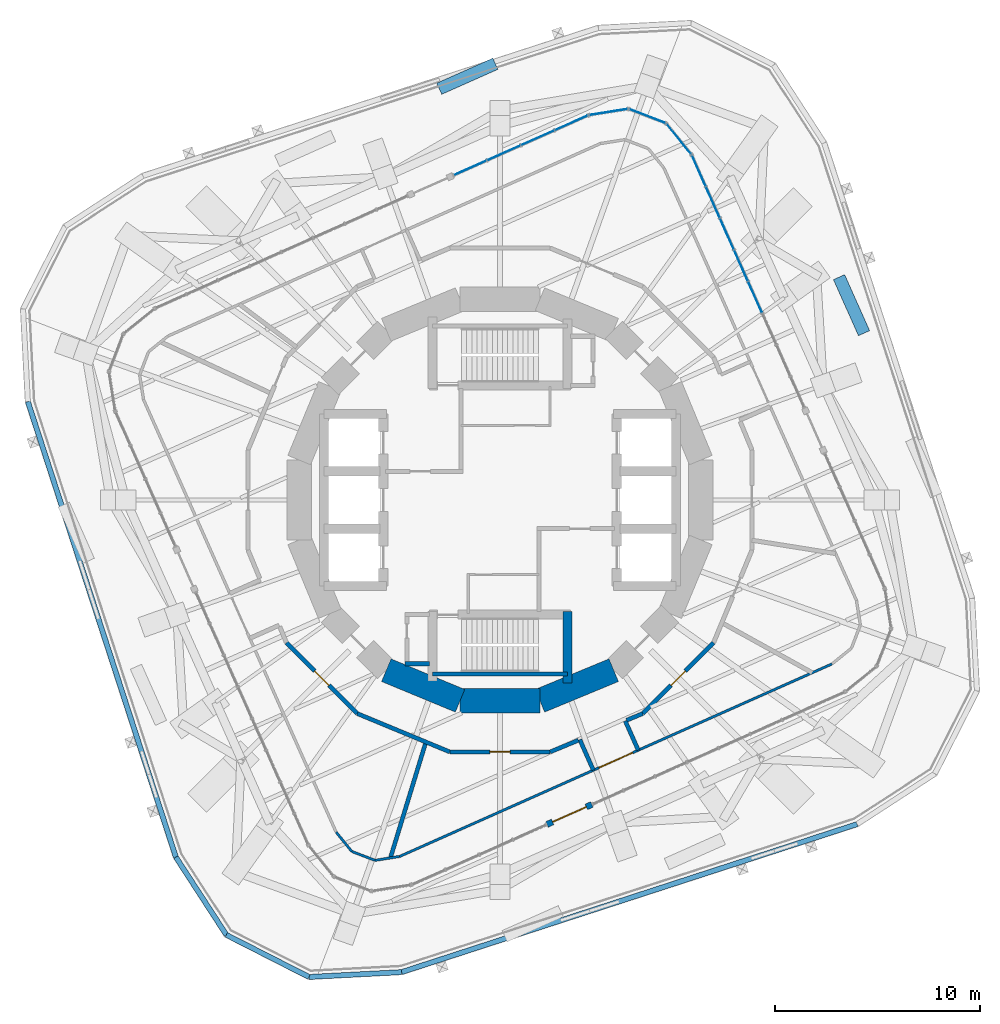
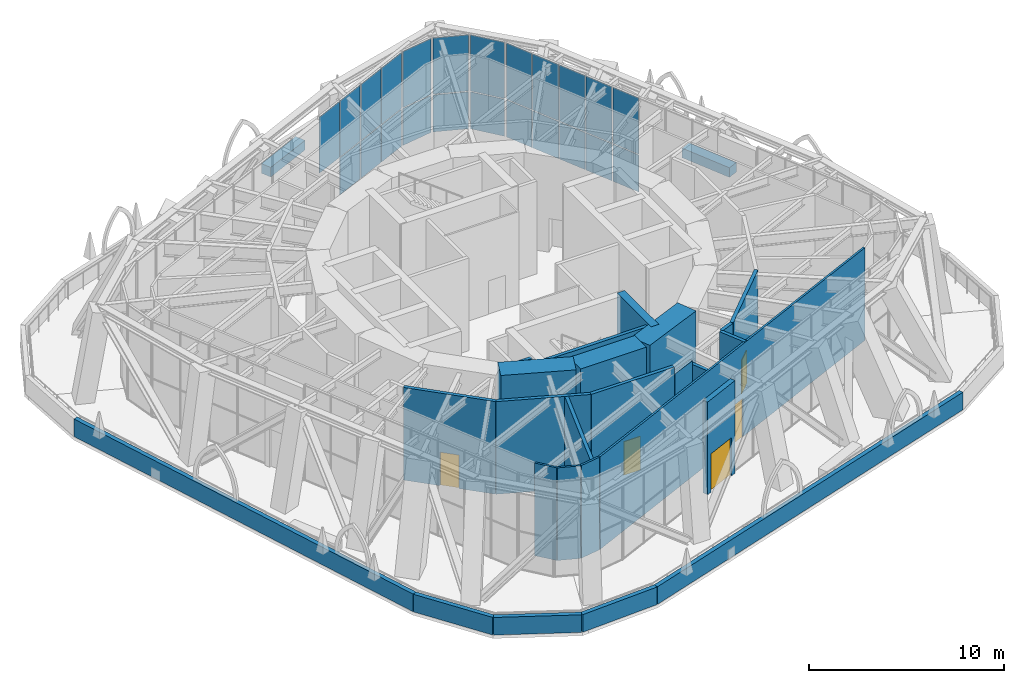
# One storey, part 12 of 18: 25 plates, 25 walls, 5 doors, 5 openings, 5 elements without a shape of their own.
"""IFC4 building model written with IfcOpenShell, lengths in metres."""

from ifc_helpers import new_model, si_unit, direction, frame, frame_2d, origin, origin_2d, place, context, subcontext, project, spatial, rectangle, extrude, material, layer, layer_set, type_object, element, fill, aggregate, save


model = new_model("IFC4")

# Units and contexts
model_context = context("Model", 3, precision=1e-05, world=origin(), true_north=direction((0.0, 1.0)))
body_context = subcontext(model_context, "Body", "Model", "MODEL_VIEW")
ifc_project = project(units=[si_unit("LENGTHUNIT", "METRE"), si_unit("AREAUNIT", "SQUARE_METRE"), si_unit("VOLUMEUNIT", "CUBIC_METRE"), si_unit("PLANEANGLEUNIT", "RADIAN"), si_unit("MASSUNIT", "GRAM", prefix="KILO")], contexts=[model_context])

# Site, building, storey
site_placement = place(None, origin())
site = spatial("IfcSite", under=ifc_project, at=site_placement, CompositionType="ELEMENT")
building_placement = place(site_placement, origin())
building = spatial("IfcBuilding", under=site, at=building_placement, Name="Nakasero Lantern House", CompositionType="ELEMENT")
storey_placement = place(building_placement, frame((0.0, 0.0, 176.449951171875)))
storey = spatial("IfcBuildingStorey", under=building, at=storey_placement, Name="L43", CompositionType="ELEMENT", Elevation=176.449951171875)

# Curtain wall, plates
ifc_material_1 = material(Name="Aluminium 6063-T6 and glass", Category="aluminium")
curtain_wall_type = type_object("IfcCurtainWallType", Name="Sky lounge glazing CW-3", PredefinedType="USERDEFINED", material=ifc_material_1)
curtain_wall_1_placement = place(storey_placement, origin())
curtain_wall_1 = element("IfcCurtainWall", 1, at=curtain_wall_1_placement, inside=storey, type_object=curtain_wall_type, Name="Curtain wall CW-3 L43", ObjectType="STICK CURTAIN WALL", PredefinedType="USERDEFINED")
ifc_material_2 = material(Name="Glass", Category="glass")
ifc_layer_1 = layer(ifc_material_2, 0.028076171875)
ifc_layer_set_1 = layer_set([ifc_layer_1], Name="Glazed panel CW-3")
plate_type_1 = type_object("IfcPlateType", Name="Glazed panel CW-3", PredefinedType="CURTAIN_PANEL", material=ifc_layer_set_1)
plate_1_placement = place(storey_placement, frame((8.7412109375, 17.633056640625, 0.06005859375), z_axis=(0.0, 0.0, 1.0), x_axis=(-0.629320390928, 0.777145961556, 0.0)))
plate_1 = element("IfcPlate", 2, at=plate_1_placement, type_object=plate_type_1, Name="CW-3 panel 1.1", PredefinedType="CURTAIN_PANEL", context=body_context, shape_type="SweptSolid", body=[
    extrude(rectangle(XDim=1.853759765625, YDim=0.028076171875, at=origin_2d()), origin(), (0.0, 0.0, 1.0), 2.31005859375),
])
plate_2_placement = place(storey_placement, frame((8.7412109375, 17.633056640625, 2.43017578125), z_axis=(0.0, 0.0, 1.0), x_axis=(-0.629320390928, 0.777145961556, 0.0)))
plate_2 = element("IfcPlate", 3, at=plate_2_placement, type_object=plate_type_1, Name="CW-3 panel 1.2", PredefinedType="CURTAIN_PANEL", context=body_context, shape_type="SweptSolid", body=[
    extrude(rectangle(XDim=1.853759765625, YDim=0.028076171875, at=origin_2d()), origin(), (0.0, 0.0, 1.0), 3.510009765625),
])
aggregate(curtain_wall_1, [plate_1, plate_2])

curtain_wall_2_placement = place(storey_placement, origin())
curtain_wall_2 = element("IfcCurtainWall", 4, at=curtain_wall_2_placement, inside=storey, type_object=curtain_wall_type, Name="Curtain wall CW-3 L43", ObjectType="STICK CURTAIN WALL", PredefinedType="USERDEFINED")
plate_3_placement = place(storey_placement, frame((0.1884765625, 16.95556640625, 0.06005859375), z_axis=(0.0, 0.0, 1.0), x_axis=(-0.913545457657, -0.406736643044, 0.0)))
plate_3 = element("IfcPlate", 5, at=plate_3_placement, type_object=plate_type_1, Name="CW-3 panel 3.1", PredefinedType="CURTAIN_PANEL", context=body_context, shape_type="SweptSolid", body=[
    extrude(rectangle(XDim=1.75244140625, YDim=0.028076171875, at=origin_2d()), origin(), (0.0, 0.0, 1.0), 2.31005859375),
])
plate_4_placement = place(storey_placement, frame((0.1884765625, 16.95556640625, 2.43017578125), z_axis=(0.0, 0.0, 1.0), x_axis=(-0.913545457657, -0.406736643044, 0.0)))
plate_4 = element("IfcPlate", 6, at=plate_4_placement, type_object=plate_type_1, Name="CW-3 panel 3.2", PredefinedType="CURTAIN_PANEL", context=body_context, shape_type="SweptSolid", body=[
    extrude(rectangle(XDim=1.75244140625, YDim=0.028076171875, at=origin_2d()), origin(), (0.0, 0.0, 1.0), 3.510009765625),
])

curtain_wall_3_placement = place(storey_placement, origin())
curtain_wall_3 = element("IfcCurtainWall", 7, at=curtain_wall_3_placement, inside=storey, type_object=curtain_wall_type, Name="Curtain wall CW-3 L43", ObjectType="STICK CURTAIN WALL", PredefinedType="USERDEFINED")
ifc_material_3 = material(Name="Aluminium 6063-T6 and insulation", Category="aluminium")
ifc_layer_2 = layer(ifc_material_3, 0.028076171875)
ifc_layer_set_2 = layer_set([ifc_layer_2], Name="Insulated panel CW-3")
plate_type_2 = type_object("IfcPlateType", Name="Insulated panel CW-3", PredefinedType="CURTAIN_PANEL", material=ifc_layer_set_2)
plate_5_placement = place(storey_placement, frame((12.46240234375, 9.9033203125, 0.06005859375), z_axis=(0.0, 0.0, 1.0), x_axis=(-0.406736643092, 0.913545457636, 0.0)))
plate_5 = element("IfcPlate", 8, at=plate_5_placement, type_object=plate_type_2, Name="CW-3 panel 4.1", PredefinedType="CURTAIN_PANEL", context=body_context, shape_type="SweptSolid", body=[
    extrude(rectangle(XDim=1.6337890625, YDim=0.028076171875, at=origin_2d()), origin(), (0.0, 0.0, 1.0), 2.31005859375),
])
plate_6_placement = place(storey_placement, frame((12.46240234375, 9.9033203125, 2.43017578125), z_axis=(0.0, 0.0, 1.0), x_axis=(-0.406736643092, 0.913545457636, 0.0)))
plate_6 = element("IfcPlate", 9, at=plate_6_placement, type_object=plate_type_2, Name="CW-3 panel 4.2", PredefinedType="CURTAIN_PANEL", context=body_context, shape_type="SweptSolid", body=[
    extrude(rectangle(XDim=1.6337890625, YDim=0.028076171875, at=origin_2d()), origin(), (0.0, 0.0, 1.0), 3.510009765625),
])
plate_7_placement = place(storey_placement, frame((11.7734375, 11.450439453125, 0.06005859375), z_axis=(0.0, 0.0, 1.0), x_axis=(-0.406736643092, 0.913545457636, 0.0)))
plate_7 = element("IfcPlate", 10, at=plate_7_placement, type_object=plate_type_2, Name="CW-3 panel 5.1", PredefinedType="CURTAIN_PANEL", context=body_context, shape_type="SweptSolid", body=[
    extrude(rectangle(XDim=1.6337890625, YDim=0.028076171875, at=origin_2d()), origin(), (0.0, 0.0, 1.0), 2.31005859375),
])
plate_8_placement = place(storey_placement, frame((11.7734375, 11.450439453125, 2.43017578125), z_axis=(0.0, 0.0, 1.0), x_axis=(-0.406736643092, 0.913545457636, 0.0)))
plate_8 = element("IfcPlate", 11, at=plate_8_placement, type_object=plate_type_2, Name="CW-3 panel 5.2", PredefinedType="CURTAIN_PANEL", context=body_context, shape_type="SweptSolid", body=[
    extrude(rectangle(XDim=1.6337890625, YDim=0.028076171875, at=origin_2d()), origin(), (0.0, 0.0, 1.0), 3.510009765625),
])
plate_9_placement = place(storey_placement, frame((11.084716796875, 12.997802734375, 0.06005859375), z_axis=(0.0, 0.0, 1.0), x_axis=(-0.406736643092, 0.913545457636, 0.0)))
plate_9 = element("IfcPlate", 12, at=plate_9_placement, type_object=plate_type_2, Name="CW-3 panel 6.1", PredefinedType="CURTAIN_PANEL", context=body_context, shape_type="SweptSolid", body=[
    extrude(rectangle(XDim=1.6337890625, YDim=0.028076171875, at=origin_2d()), origin(), (0.0, 0.0, 1.0), 2.31005859375),
])
plate_10_placement = place(storey_placement, frame((11.084716796875, 12.997802734375, 2.43017578125), z_axis=(0.0, 0.0, 1.0), x_axis=(-0.406736643092, 0.913545457636, 0.0)))
plate_10 = element("IfcPlate", 13, at=plate_10_placement, type_object=plate_type_2, Name="CW-3 panel 6.2", PredefinedType="CURTAIN_PANEL", context=body_context, shape_type="SweptSolid", body=[
    extrude(rectangle(XDim=1.6337890625, YDim=0.028076171875, at=origin_2d()), origin(), (0.0, 0.0, 1.0), 3.510009765625),
])
plate_11_placement = place(storey_placement, frame((10.395751953125, 14.545166015625, 0.06005859375), z_axis=(0.0, 0.0, 1.0), x_axis=(-0.406736643092, 0.913545457636, 0.0)))
plate_11 = element("IfcPlate", 14, at=plate_11_placement, type_object=plate_type_2, Name="CW-3 panel 7.1", PredefinedType="CURTAIN_PANEL", context=body_context, shape_type="SweptSolid", body=[
    extrude(rectangle(XDim=1.6337890625, YDim=0.028076171875, at=origin_2d()), origin(), (0.0, 0.0, 1.0), 2.31005859375),
])
plate_12_placement = place(storey_placement, frame((10.395751953125, 14.545166015625, 2.43017578125), z_axis=(0.0, 0.0, 1.0), x_axis=(-0.406736643092, 0.913545457636, 0.0)))
plate_12 = element("IfcPlate", 15, at=plate_12_placement, type_object=plate_type_2, Name="CW-3 panel 7.2", PredefinedType="CURTAIN_PANEL", context=body_context, shape_type="SweptSolid", body=[
    extrude(rectangle(XDim=1.6337890625, YDim=0.028076171875, at=origin_2d()), origin(), (0.0, 0.0, 1.0), 3.510009765625),
])
plate_13_placement = place(storey_placement, frame((9.712890625, 16.078857421875, 0.06005859375), z_axis=(0.0, 0.0, 1.0), x_axis=(-0.406736643092, 0.913545457636, 0.0)))
plate_13 = element("IfcPlate", 16, at=plate_13_placement, type_object=plate_type_2, Name="CW-3 panel 8.1", PredefinedType="CURTAIN_PANEL", context=body_context, shape_type="SweptSolid", body=[
    extrude(rectangle(XDim=1.603759765625, YDim=0.028076171875, at=origin_2d()), origin(), (0.0, 0.0, 1.0), 2.31005859375),
])
plate_14_placement = place(storey_placement, frame((9.712890625, 16.078857421875, 2.43017578125), z_axis=(0.0, 0.0, 1.0), x_axis=(-0.406736643092, 0.913545457636, 0.0)))
plate_14 = element("IfcPlate", 17, at=plate_14_placement, type_object=plate_type_2, Name="CW-3 panel 8.2", PredefinedType="CURTAIN_PANEL", context=body_context, shape_type="SweptSolid", body=[
    extrude(rectangle(XDim=1.603759765625, YDim=0.028076171875, at=origin_2d()), origin(), (0.0, 0.0, 1.0), 3.510009765625),
])
aggregate(curtain_wall_3, [plate_5, plate_6, plate_7, plate_8, plate_9, plate_10, plate_11, plate_12, plate_13, plate_14])

curtain_wall_4_placement = place(storey_placement, origin())
curtain_wall_4 = element("IfcCurtainWall", 18, at=curtain_wall_4_placement, inside=storey, type_object=curtain_wall_type, Name="Curtain wall CW-3 L43", ObjectType="STICK CURTAIN WALL", PredefinedType="USERDEFINED")
plate_15_placement = place(storey_placement, frame((7.198974609375, 18.753662109375, 0.06005859375), z_axis=(0.0, 0.0, 1.0), x_axis=(-0.93358042661, 0.358367949252, 0.0)))
plate_15 = element("IfcPlate", 19, at=plate_15_placement, type_object=plate_type_2, Name="CW-3 panel 1.1", PredefinedType="CURTAIN_PANEL", context=body_context, shape_type="SweptSolid", body=[
    extrude(rectangle(XDim=1.853759765625, YDim=0.028076171875, at=origin_2d()), origin(), (0.0, 0.0, 1.0), 2.31005859375),
])
plate_16_placement = place(storey_placement, frame((7.198974609375, 18.753662109375, 2.43017578125), z_axis=(0.0, 0.0, 1.0), x_axis=(-0.93358042661, 0.358367949252, 0.0)))
plate_16 = element("IfcPlate", 20, at=plate_16_placement, type_object=plate_type_2, Name="CW-3 panel 1.2", PredefinedType="CURTAIN_PANEL", context=body_context, shape_type="SweptSolid", body=[
    extrude(rectangle(XDim=1.853759765625, YDim=0.028076171875, at=origin_2d()), origin(), (0.0, 0.0, 1.0), 3.510009765625),
])
aggregate(curtain_wall_4, [plate_15, plate_16])

curtain_wall_5_placement = place(storey_placement, origin())
curtain_wall_5 = element("IfcCurtainWall", 21, at=curtain_wall_5_placement, inside=storey, type_object=curtain_wall_type, Name="Curtain wall CW-3 L43", ObjectType="STICK CURTAIN WALL", PredefinedType="USERDEFINED")
plate_17_placement = place(storey_placement, frame((5.302734375, 18.952880859375, 0.06005859375), z_axis=(0.0, 0.0, 1.0), x_axis=(-0.987688340592, -0.156434465057, 0.0)))
plate_17 = element("IfcPlate", 22, at=plate_17_placement, type_object=plate_type_2, Name="CW-3 panel 1.1", PredefinedType="CURTAIN_PANEL", context=body_context, shape_type="SweptSolid", body=[
    extrude(rectangle(XDim=1.853759765625, YDim=0.028076171875, at=origin_2d()), origin(), (0.0, 0.0, 1.0), 2.31005859375),
])
plate_18_placement = place(storey_placement, frame((5.302734375, 18.952880859375, 2.43017578125), z_axis=(0.0, 0.0, 1.0), x_axis=(-0.987688340592, -0.156434465057, 0.0)))
plate_18 = element("IfcPlate", 23, at=plate_18_placement, type_object=plate_type_2, Name="CW-3 panel 1.2", PredefinedType="CURTAIN_PANEL", context=body_context, shape_type="SweptSolid", body=[
    extrude(rectangle(XDim=1.853759765625, YDim=0.028076171875, at=origin_2d()), origin(), (0.0, 0.0, 1.0), 3.510009765625),
])
aggregate(curtain_wall_5, [plate_17, plate_18])

# Plate
plate_19_placement = place(storey_placement, frame((3.486572265625, 18.423828125, 0.06005859375), z_axis=(0.0, 0.0, 1.0), x_axis=(-0.913545457657, -0.406736643044, 0.0)))
plate_19 = element("IfcPlate", 24, at=plate_19_placement, type_object=plate_type_2, Name="CW-3 panel 1.1", PredefinedType="CURTAIN_PANEL", context=body_context, shape_type="SweptSolid", body=[
    extrude(rectangle(XDim=1.722412109375, YDim=0.028076171875, at=origin_2d()), origin(), (0.0, 0.0, 1.0), 2.31005859375),
])

plate_20_placement = place(storey_placement, frame((3.486572265625, 18.423828125, 2.43017578125), z_axis=(0.0, 0.0, 1.0), x_axis=(-0.913545457657, -0.406736643044, 0.0)))
plate_20 = element("IfcPlate", 25, at=plate_20_placement, type_object=plate_type_2, Name="CW-3 panel 1.2", PredefinedType="CURTAIN_PANEL", context=body_context, shape_type="SweptSolid", body=[
    extrude(rectangle(XDim=1.722412109375, YDim=0.028076171875, at=origin_2d()), origin(), (0.0, 0.0, 1.0), 3.510009765625),
])

plate_21_placement = place(storey_placement, frame((1.844482421875, 17.69287109375, 0.06005859375), z_axis=(0.0, 0.0, 1.0), x_axis=(-0.913545457657, -0.406736643044, 0.0)))
plate_21 = element("IfcPlate", 26, at=plate_21_placement, type_object=plate_type_2, Name="CW-3 panel 2.1", PredefinedType="CURTAIN_PANEL", context=body_context, shape_type="SweptSolid", body=[
    extrude(rectangle(XDim=1.75244140625, YDim=0.028076171875, at=origin_2d()), origin(), (0.0, 0.0, 1.0), 2.31005859375),
])

plate_22_placement = place(storey_placement, frame((1.844482421875, 17.69287109375, 2.43017578125), z_axis=(0.0, 0.0, 1.0), x_axis=(-0.913545457657, -0.406736643044, 0.0)))
plate_22 = element("IfcPlate", 27, at=plate_22_placement, type_object=plate_type_2, Name="CW-3 panel 2.2", PredefinedType="CURTAIN_PANEL", context=body_context, shape_type="SweptSolid", body=[
    extrude(rectangle(XDim=1.75244140625, YDim=0.028076171875, at=origin_2d()), origin(), (0.0, 0.0, 1.0), 3.510009765625),
])

plate_23_placement = place(storey_placement, frame((-1.45361328125, 16.224365234375, 2.43017578125), z_axis=(0.0, 0.0, 1.0), x_axis=(-0.913545457657, -0.406736643044, 0.0)))
plate_23 = element("IfcPlate", 28, at=plate_23_placement, type_object=plate_type_2, Name="CW-3 panel 4.2", PredefinedType="CURTAIN_PANEL", context=body_context, shape_type="SweptSolid", body=[
    extrude(rectangle(XDim=1.722412109375, YDim=0.028076171875, at=origin_2d()), origin(), (0.0, 0.0, 1.0), 3.510009765625),
])

aggregate(curtain_wall_2, [plate_19, plate_20, plate_21, plate_22, plate_3, plate_4, plate_23])

# Plates
ifc_material_4 = material(Name="Aluminium 6063-T6", Category="aluminium")
ifc_layer_3 = layer(ifc_material_4, 0.60009765625)
ifc_layer_set_3 = layer_set([ifc_layer_3], Name="Sky garden planter 1200x3000")
plate_type_3 = type_object("IfcPlateType", Name="Sky garden planter 1200x3000", PredefinedType="USERDEFINED", material=ifc_layer_set_3)
for number, where, z_axis, x_axis, name in (
    (29, (17.17333984375, 9.517822265625, 0.0), (0.0, 0.0, 1.0), (0.913545457643, 0.406736643076, 0.0), "Sky garden PLANTER L43 01"),
    (30, (-1.597412109375, 20.699951171875, 0.0), (0.0, 0.0, 1.0), (-0.406736643076, 0.913545457643, 0.0), "Sky garden PLANTER L43 10"),
):
    element("IfcPlate", number, at=place(storey_placement, frame(where, z_axis=z_axis, x_axis=x_axis)), inside=storey, type_object=plate_type_3, Name=name, ObjectType="PLANTER", PredefinedType="USERDEFINED", context=body_context, shape_type="SweptSolid", body=[
        extrude(rectangle(XDim=0.60009765625, YDim=3.0, at=origin_2d()), origin(), (0.0, 0.0, 1.0), 0.60009765625),
    ])

# Walls
ifc_material_5 = material(Name="Concrete C50/60", Category="concrete")
ifc_layer_4 = layer(ifc_material_5, 0.449951171875)
ifc_layer_set_4 = layer_set([ifc_layer_4], Name="Core inner wall 450")
wall_type_1 = type_object("IfcWallType", Name="Core inner wall 450", PredefinedType="SHEAR", material=ifc_layer_set_4)
wall_1_placement = place(storey_placement, frame((3.300048828125, -5.449951171875, 0.0), z_axis=(0.0, 0.0, 1.0), x_axis=(0.0, -1.0, 0.0)))
element("IfcWall", 31, at=wall_1_placement, inside=storey, type_object=wall_type_1, Name="Core inner wall L43 SSE", PredefinedType="SHEAR", context=body_context, shape_type="SweptSolid", body=[
    extrude(rectangle(XDim=3.5, YDim=0.449951171875, at=frame_2d((1.75, 0.0))), origin(), (0.0, 0.0, 1.0), 6.0),
])
ifc_material_6 = material(Name="Concrete C50/60", Category="concrete")
ifc_layer_5 = layer(ifc_material_6, 1.199951171875)
ifc_layer_set_5 = layer_set([ifc_layer_5], Name="Core wall 1200")
wall_type_2 = type_object("IfcWallType", Name="Core wall 1200", PredefinedType="SHEAR", material=ifc_layer_set_5)
for number, where, z_axis, x_axis, name in (
    (32, (-5.5556640625, -8.314697265625, 0.0), (0.0, 0.0, 1.0), (0.923876507187, -0.382690736062, 0.0), "Core wall L43 facet 11"),
    (33, (-1.950927734375, -9.807861328125, 0.0), (0.0, 0.0, 1.0), (1.0, 0.0, 0.0), "Core wall L43 facet 12"),
    (34, (1.950927734375, -9.807861328125, 0.0), (0.0, 0.0, 1.0), (0.923876507187, 0.382690736062, 0.0), "Core wall L43 facet 13"),
):
    element("IfcWall", number, at=place(storey_placement, frame(where, z_axis=z_axis, x_axis=x_axis)), inside=storey, type_object=wall_type_2, Name=name, PredefinedType="SHEAR", context=body_context, shape_type="SweptSolid", body=[
        extrude(rectangle(XDim=3.90185546875, YDim=1.199951171875, at=frame_2d((1.950927734375, 0.0))), origin(), (0.0, 0.0, 1.0), 6.0),
    ])

# Wall, opening, door
ifc_material_7 = material(Name="Blockwork", Category="masonry")
ifc_layer_6 = layer(ifc_material_7, 0.199951171875)
ifc_layer_set_6 = layer_set([ifc_layer_6], Name="Corridor wall 200")
wall_type_3 = type_object("IfcWallType", Name="Corridor wall 200", PredefinedType="PARTITIONING", material=ifc_layer_set_6)
wall_2_placement = place(storey_placement, frame((10.43408203125, -6.971923828125, 0.0), z_axis=(0.0, 0.0, 1.0), x_axis=(-0.707106781187, -0.707106781187, 0.0)))
wall_2 = element("IfcWall", 35, at=wall_2_placement, inside=storey, type_object=wall_type_3, Name="Corridor wall L43 TC02", PredefinedType="PARTITIONING", context=body_context, shape_type="SweptSolid", body=[
    extrude(rectangle(XDim=4.896240234375, YDim=0.199951171875, at=frame_2d((2.4482421875, 0.0))), origin(), (0.0, 0.0, 1.0), 5.800048828125),
])
opening_1_placement = place(wall_2_placement, frame((1.9482421875, 0.0, 0.0)))
opening_1 = element("IfcOpeningElement", 36, at=opening_1_placement, cuts=wall_2, Name="Opening D13", PredefinedType="OPENING", context=body_context, shape_type="SweptSolid", body=[
    extrude(rectangle(XDim=1.0, YDim=2.10009765625, at=frame_2d((0.5, 1.050048828125))), frame((0.0, 0.119873046875, 0.0), z_axis=(0.0, -1.0, 0.0), x_axis=(1.0, 0.0, 0.0)), (0.0, 0.0, 1.0), 0.239990234375),
])
ifc_material_8 = material(Name="Steel S355", Category="steel")
door_type_1 = type_object("IfcDoorType", Name="Plant room door FD60 1000", OperationType="SINGLE_SWING_LEFT", PredefinedType="DOOR", material=ifc_material_8)
door_1_placement = place(opening_1_placement, origin())
door_1 = element("IfcDoor", 37, at=door_1_placement, inside=storey, type_object=door_type_1, Name="Door L43 TDR30", OperationType="SINGLE_SWING_RIGHT", OverallHeight=2.10009765625, OverallWidth=1.0, PredefinedType="DOOR", context=body_context, shape_type="SweptSolid", body=[
    extrude(rectangle(XDim=1.0, YDim=2.10009765625, at=frame_2d((0.5, 1.050048828125))), frame((0.0, 0.02490234375, 0.0), z_axis=(0.0, -1.0, 0.0), x_axis=(1.0, 0.0, 0.0)), (0.0, 0.0, 1.0), 0.050048828125),
])
fill(opening_1, door_1)

# Walls
wall_3_placement = place(storey_placement, frame((6.971923828125, -10.43408203125, 0.0), z_axis=(0.0, 0.0, 1.0), x_axis=(-0.923915396123, -0.382596838469, 0.0)))
element("IfcWall", 38, at=wall_3_placement, inside=storey, type_object=wall_type_3, Name="Corridor wall L43 TC03", PredefinedType="PARTITIONING", context=body_context, shape_type="SweptSolid", body=[
    extrude(rectangle(XDim=0.8505859375, YDim=0.199951171875, at=frame_2d((0.42529296875, 0.0))), origin(), (0.0, 0.0, 1.0), 5.800048828125),
])
wall_4_placement = place(storey_placement, frame((3.829345703125, -11.73583984375, 0.0), z_axis=(0.0, 0.0, 1.0), x_axis=(-0.923891433925, -0.382654698548, 0.0)))
element("IfcWall", 39, at=wall_4_placement, inside=storey, type_object=wall_type_3, Name="Corridor wall L43 TC04", PredefinedType="PARTITIONING", context=body_context, shape_type="SweptSolid", body=[
    extrude(rectangle(XDim=1.494873046875, YDim=0.199951171875, at=frame_2d((0.74755859375, 0.0))), origin(), (0.0, 0.0, 1.0), 5.3466796875),
])

# Wall, opening, door
wall_5_placement = place(storey_placement, frame((2.4482421875, -12.307861328125, 0.0), z_axis=(0.0, 0.0, 1.0), x_axis=(-1.0, 0.0, 0.0)))
wall_5 = element("IfcWall", 40, at=wall_5_placement, inside=storey, type_object=wall_type_3, Name="Corridor wall L43 TC05", PredefinedType="PARTITIONING", context=body_context, shape_type="SweptSolid", body=[
    extrude(rectangle(XDim=4.896484375, YDim=0.199951171875, at=frame_2d((2.4482421875, 0.0))), origin(), (0.0, 0.0, 1.0), 5.800048828125),
])
opening_2_placement = place(wall_5_placement, frame((1.9482421875, 0.0, 0.0)))
opening_2 = element("IfcOpeningElement", 41, at=opening_2_placement, cuts=wall_5, Name="Opening D13", PredefinedType="OPENING", context=body_context, shape_type="SweptSolid", body=[
    extrude(rectangle(XDim=1.0, YDim=2.10009765625, at=frame_2d((0.5, 1.050048828125))), frame((0.0, 0.119873046875, 0.0), z_axis=(0.0, -1.0, 0.0), x_axis=(1.0, 0.0, 0.0)), (0.0, 0.0, 1.0), 0.239990234375),
])
door_2_placement = place(opening_2_placement, origin())
door_2 = element("IfcDoor", 42, at=door_2_placement, inside=storey, type_object=door_type_1, Name="Door L43 TDR21", OperationType="SINGLE_SWING_LEFT", OverallHeight=2.10009765625, OverallWidth=1.0, PredefinedType="DOOR", context=body_context, shape_type="SweptSolid", body=[
    extrude(rectangle(XDim=1.0, YDim=2.10009765625, at=frame_2d((0.5, 1.050048828125))), frame((0.0, 0.02490234375, 0.0), z_axis=(0.0, -1.0, 0.0), x_axis=(1.0, 0.0, 0.0)), (0.0, 0.0, 1.0), 0.050048828125),
])
fill(opening_2, door_2)

# Wall
wall_6_placement = place(storey_placement, frame((-2.4482421875, -12.307861328125, 0.0), z_axis=(0.0, 0.0, 1.0), x_axis=(-0.923878881965, 0.382685002919, 0.0)))
element("IfcWall", 43, at=wall_6_placement, inside=storey, type_object=wall_type_3, Name="Corridor wall L43 TC06", PredefinedType="PARTITIONING", context=body_context, shape_type="SweptSolid", body=[
    extrude(rectangle(XDim=4.896484375, YDim=0.199951171875, at=frame_2d((2.4482421875, 0.0))), origin(), (0.0, 0.0, 1.0), 5.800048828125),
])

# Wall, opening, door
wall_7_placement = place(storey_placement, frame((-6.971923828125, -10.43408203125, 0.0), z_axis=(0.0, 0.0, 1.0), x_axis=(-0.707106781187, 0.707106781187, 0.0)))
wall_7 = element("IfcWall", 44, at=wall_7_placement, inside=storey, type_object=wall_type_3, Name="Corridor wall L43 TC07", PredefinedType="PARTITIONING", context=body_context, shape_type="SweptSolid", body=[
    extrude(rectangle(XDim=4.896240234375, YDim=0.199951171875, at=frame_2d((2.4482421875, 0.0))), origin(), (0.0, 0.0, 1.0), 5.800048828125),
])
opening_3_placement = place(wall_7_placement, frame((1.9482421875, 0.0, 0.0)))
opening_3 = element("IfcOpeningElement", 45, at=opening_3_placement, cuts=wall_7, Name="Opening D13", PredefinedType="OPENING", context=body_context, shape_type="SweptSolid", body=[
    extrude(rectangle(XDim=1.0, YDim=2.10009765625, at=frame_2d((0.5, 1.050048828125))), frame((0.0, 0.119873046875, 0.0), z_axis=(0.0, -1.0, 0.0), x_axis=(1.0, 0.0, 0.0)), (0.0, 0.0, 1.0), 0.239990234375),
])
door_3_placement = place(opening_3_placement, origin())
door_3 = element("IfcDoor", 46, at=door_3_placement, inside=storey, type_object=door_type_1, Name="Door L43 TDR20", OperationType="SINGLE_SWING_RIGHT", OverallHeight=2.10009765625, OverallWidth=1.0, PredefinedType="DOOR", context=body_context, shape_type="SweptSolid", body=[
    extrude(rectangle(XDim=1.0, YDim=2.10009765625, at=frame_2d((0.5, 1.050048828125))), frame((0.0, 0.02490234375, 0.0), z_axis=(0.0, -1.0, 0.0), x_axis=(1.0, 0.0, 0.0)), (0.0, 0.0, 1.0), 0.050048828125),
])
fill(opening_3, door_3)

ifc_material_9 = material(Name="Concrete C40/50", Category="concrete")
ifc_layer_7 = layer(ifc_material_9, 0.300048828125)
ifc_layer_set_7 = layer_set([ifc_layer_7], Name="Entrance portal wall 300")
wall_type_4 = type_object("IfcWallType", Name="Entrance portal wall 300", PredefinedType="SOLIDWALL", material=ifc_layer_set_7)
wall_8_placement = place(storey_placement, frame((2.295166015625, -15.849853515625, 0.0), z_axis=(0.0, 0.0, 1.0), x_axis=(0.913513461389, 0.406808500233, 0.0)))
wall_8 = element("IfcWall", 47, at=wall_8_placement, inside=storey, type_object=wall_type_4, Name="Sky lounge door wall L43 3", PredefinedType="SOLIDWALL", context=body_context, shape_type="SweptSolid", body=[
    extrude(rectangle(XDim=2.39990234375, YDim=0.300048828125, at=frame_2d((1.199951171875, 0.0))), origin(), (0.0, 0.0, 1.0), 5.800048828125),
])
opening_4_placement = place(wall_8_placement, frame((0.300048828125, 0.0, 0.0)))
opening_4 = element("IfcOpeningElement", 48, at=opening_4_placement, cuts=wall_8, Name="Opening D10", PredefinedType="OPENING", context=body_context, shape_type="SweptSolid", body=[
    extrude(rectangle(XDim=1.800048828125, YDim=2.39990234375, at=frame_2d((0.89990234375, 1.199951171875))), frame((0.0, 0.169921875, 0.0), z_axis=(0.0, -1.0, 0.0), x_axis=(1.0, 0.0, 0.0)), (0.0, 0.0, 1.0), 0.340087890625),
])
ifc_material_10 = material(Name="Aluminium 6063-T6 and glass", Category="aluminium")
door_type_2 = type_object("IfcDoorType", Name="Sky garden doors 1800x2400", OperationType="DOUBLE_DOOR_SINGLE_SWING", PredefinedType="DOOR", material=ifc_material_10)
door_4_placement = place(opening_4_placement, origin())
door_4 = element("IfcDoor", 49, at=door_4_placement, inside=storey, type_object=door_type_2, Name="Sky garden door L43 3", OperationType="DOUBLE_DOOR_SINGLE_SWING", OverallHeight=2.39990234375, OverallWidth=1.800048828125, PredefinedType="DOOR", context=body_context, shape_type="SweptSolid", body=[
    extrude(rectangle(XDim=1.800048828125, YDim=2.39990234375, at=frame_2d((0.89990234375, 1.199951171875))), frame((0.0, 0.02490234375, 0.0), z_axis=(0.0, -1.0, 0.0), x_axis=(1.0, 0.0, 0.0)), (0.0, 0.0, 1.0), 0.050048828125),
])
fill(opening_4, door_4)

# Walls
ifc_material_11 = material(Name="Blockwork", Category="masonry")
ifc_layer_8 = layer(ifc_material_11, 0.199951171875)
ifc_layer_set_8 = layer_set([ifc_layer_8], Name="Fire lobby wall 200")
wall_type_5 = type_object("IfcWallType", Name="Fire lobby wall 200", PredefinedType="PARTITIONING", material=ifc_layer_set_8)
wall_9_placement = place(storey_placement, frame((-3.449951171875, -8.0, 0.0), z_axis=(0.0, 0.0, 1.0), x_axis=(-1.0, 0.0, 0.0)))
element("IfcWall", 50, at=wall_9_placement, inside=storey, type_object=wall_type_5, Name="Fire lobby wall L43 W-RS2S", PredefinedType="PARTITIONING", context=body_context, shape_type="SweptSolid", body=[
    extrude(rectangle(XDim=1.199951171875, YDim=0.199951171875, at=frame_2d((0.60009765625, 0.0))), origin(), (0.0, 0.0, 1.0), 5.800048828125),
])
wall_10_placement = place(storey_placement, frame((-3.300048828125, -8.5, 0.0), z_axis=(0.0, 0.0, 1.0), x_axis=(1.0, 0.0, 0.0)))
element("IfcWall", 51, at=wall_10_placement, inside=storey, type_object=wall_type_5, Name="Fire lobby wall L43 W-STS", PredefinedType="PARTITIONING", context=body_context, shape_type="SweptSolid", body=[
    extrude(rectangle(XDim=6.60009765625, YDim=0.199951171875, at=frame_2d((3.300048828125, 0.0))), origin(), (0.0, 0.0, 1.0), 5.800048828125),
])
wall_11_placement = place(storey_placement, frame((-3.619873046875, -11.822509765625, 0.0), z_axis=(0.0, 0.0, 1.0), x_axis=(-0.292741199408, -0.956191712038, 0.0)))
element("IfcWall", 52, at=wall_11_placement, inside=storey, type_object=wall_type_5, Name="Fire lobby wall L43 TD20", PredefinedType="PARTITIONING", context=body_context, shape_type="SweptSolid", body=[
    extrude(rectangle(XDim=5.92138671875, YDim=0.199951171875, at=frame_2d((2.960693359375, 0.0))), origin(), (0.0, 0.0, 1.0), 5.800048828125),
])
wall_12_placement = place(storey_placement, frame((6.11669921875, -10.788330078125, 0.0), z_axis=(0.0, 0.0, 1.0), x_axis=(0.406758962246, -0.913535520181, 0.0)))
element("IfcWall", 53, at=wall_12_placement, inside=storey, type_object=wall_type_5, Name="Fire lobby wall L43 TP3L", PredefinedType="PARTITIONING", context=body_context, shape_type="SweptSolid", body=[
    extrude(rectangle(XDim=1.569580078125, YDim=0.199951171875, at=frame_2d((0.78466796875, 0.0))), origin(), (0.0, 0.0, 1.0), 5.800048828125),
])
wall_13_placement = place(storey_placement, frame((3.898681640625, -11.70703125, 0.0), z_axis=(0.0, 0.0, 1.0), x_axis=(0.406804441844, -0.913515268671, 0.0)))
element("IfcWall", 54, at=wall_13_placement, inside=storey, type_object=wall_type_5, Name="Fire lobby wall L43 TP3R", PredefinedType="PARTITIONING", context=body_context, shape_type="SweptSolid", body=[
    extrude(rectangle(XDim=1.63232421875, YDim=0.199951171875, at=frame_2d((0.816162109375, 0.0))), origin(), (0.0, 0.0, 1.0), 5.116455078125),
])
ifc_material_12 = material(Name="Aluminium 6063-T6 and glass", Category="aluminium")
ifc_layer_9 = layer(ifc_material_12, 0.1201171875)
ifc_layer_set_9 = layer_set([ifc_layer_9], Name="Glazed screen 120")
wall_type_6 = type_object("IfcWallType", Name="Glazed screen 120", PredefinedType="PARTITIONING", material=ifc_layer_set_9)
wall_14_placement = place(storey_placement, frame((-8.007080078125, -16.22216796875, 0.0), z_axis=(0.0, 0.0, 1.0), x_axis=(0.629284812999, -0.777174770646, 0.0)))
element("IfcWall", 55, at=wall_14_placement, inside=storey, type_object=wall_type_6, Name="Glazed screen L43 WG2C1", PredefinedType="PARTITIONING", context=body_context, shape_type="SweptSolid", body=[
    extrude(rectangle(XDim=1.216552734375, YDim=0.1201171875, at=frame_2d((0.6083984375, 0.0))), origin(), (0.0, 0.0, 1.0), 5.800048828125),
])
wall_15_placement = place(storey_placement, frame((-7.241455078125, -17.167724609375, 0.0), z_axis=(0.0, 0.0, 1.0), x_axis=(0.933604039007, -0.358306430795, 0.0)))
element("IfcWall", 56, at=wall_15_placement, inside=storey, type_object=wall_type_6, Name="Glazed screen L43 WG2C2", PredefinedType="PARTITIONING", context=body_context, shape_type="SweptSolid", body=[
    extrude(rectangle(XDim=1.21630859375, YDim=0.1201171875, at=frame_2d((0.608154296875, 0.0))), origin(), (0.0, 0.0, 1.0), 5.800048828125),
])
wall_16_placement = place(storey_placement, frame((-6.10595703125, -17.603515625, 0.0), z_axis=(0.0, 0.0, 1.0), x_axis=(0.987705952118, 0.156323229724, 0.0)))
element("IfcWall", 57, at=wall_16_placement, inside=storey, type_object=wall_type_6, Name="Glazed screen L43 WG2C3", PredefinedType="PARTITIONING", context=body_context, shape_type="SweptSolid", body=[
    extrude(rectangle(XDim=1.216552734375, YDim=0.1201171875, at=frame_2d((0.6083984375, 0.0))), origin(), (0.0, 0.0, 1.0), 5.800048828125),
])

# Wall, opening, door
wall_17_placement = place(storey_placement, frame((-4.904296875, -17.413330078125, 0.0), z_axis=(0.0, 0.0, 1.0), x_axis=(0.91354317875, 0.406741761514, 0.0)))
wall_17 = element("IfcWall", 58, at=wall_17_placement, inside=storey, type_object=wall_type_6, Name="Glazed screen L43 WG3S", PredefinedType="PARTITIONING", context=body_context, shape_type="SweptSolid", body=[
    extrude(rectangle(XDim=23.125732421875, YDim=0.1201171875, at=frame_2d((11.56298828125, 0.0))), origin(), (0.0, 0.0, 1.0), 5.800048828125),
])
opening_5_placement = place(wall_17_placement, frame((10.6630859375, 0.0, 0.0)))
opening_5 = element("IfcOpeningElement", 59, at=opening_5_placement, cuts=wall_17, Name="Opening D18", PredefinedType="OPENING", context=body_context, shape_type="SweptSolid", body=[
    extrude(rectangle(XDim=1.800048828125, YDim=2.39990234375, at=frame_2d((0.89990234375, 1.199951171875))), frame((0.0, 0.080078125, 0.0), z_axis=(0.0, -1.0, 0.0), x_axis=(1.0, 0.0, 0.0)), (0.0, 0.0, 1.0), 0.16015625),
])
ifc_material_13 = material(Name="Aluminium 6063-T6 and glass", Category="aluminium")
door_type_3 = type_object("IfcDoorType", Name="Glazed screen door 1800", OperationType="DOUBLE_DOOR_SINGLE_SWING", PredefinedType="DOOR", material=ifc_material_13)
door_5_placement = place(opening_5_placement, origin())
door_5 = element("IfcDoor", 60, at=door_5_placement, inside=storey, type_object=door_type_3, Name="Door L43 DW3", OperationType="DOUBLE_DOOR_SINGLE_SWING", OverallHeight=2.39990234375, OverallWidth=1.800048828125, PredefinedType="DOOR", context=body_context, shape_type="SweptSolid", body=[
    extrude(rectangle(XDim=1.800048828125, YDim=2.39990234375, at=frame_2d((0.89990234375, 1.199951171875))), frame((0.0, 0.02490234375, 0.0), z_axis=(0.0, -1.0, 0.0), x_axis=(1.0, 0.0, 0.0)), (0.0, 0.0, 1.0), 0.050048828125),
])
fill(opening_5, door_5)

# Walls
ifc_material_14 = material(Name="Concrete C35/45", Category="concrete")
ifc_layer_10 = layer(ifc_material_14, 0.25)
ifc_layer_set_10 = layer_set([ifc_layer_10], Name="Parapet 250")
wall_type_7 = type_object("IfcWallType", Name="Parapet 250", PredefinedType="SOLIDWALL", material=ifc_layer_set_10)
wall_18_placement = place(storey_placement, frame((-23.064697265625, 4.807861328125, 0.0), z_axis=(0.0, 0.0, 1.0), x_axis=(0.30902591324, -0.951053618334, 0.0)))
element("IfcWall", 61, at=wall_18_placement, inside=storey, type_object=wall_type_7, Name="Parapet L43 PP2S", PredefinedType="SOLIDWALL", context=body_context, shape_type="SweptSolid", body=[
    extrude(rectangle(XDim=23.39990234375, YDim=0.25, at=frame_2d((11.699951171875, 0.0))), origin(), (0.0, 0.0, 1.0), 1.10009765625),
])
for number, where, z_axis, x_axis, name in (
    (62, (-15.83349609375, -17.44677734375, 0.0), (0.0, 0.0, 1.0), (0.544634002266, -0.838673836229, 0.0), "Parapet L43 PP2C1"),
    (63, (-13.36669921875, -21.245361328125, 0.0), (0.0, 0.0, 1.0), (0.890994655705, -0.454013792196, 0.0), "Parapet L43 PP2C2"),
    (64, (-9.3310546875, -23.3017578125, 0.0), (0.0, 0.0, 1.0), (0.998629419044, 0.052338164079, 0.0), "Parapet L43 PP2C3"),
):
    element("IfcWall", number, at=place(storey_placement, frame(where, z_axis=z_axis, x_axis=x_axis)), inside=storey, type_object=wall_type_7, Name=name, PredefinedType="SOLIDWALL", context=body_context, shape_type="SweptSolid", body=[
        extrude(rectangle(XDim=4.529296875, YDim=0.25, at=frame_2d((2.2646484375, 0.0))), origin(), (0.0, 0.0, 1.0), 1.10009765625),
    ])
wall_19_placement = place(storey_placement, frame((-4.807861328125, -23.064697265625, 0.0), z_axis=(0.0, 0.0, 1.0), x_axis=(0.951053618334, 0.30902591324, 0.0)))
element("IfcWall", 65, at=wall_19_placement, inside=storey, type_object=wall_type_7, Name="Parapet L43 PP3S", PredefinedType="SOLIDWALL", context=body_context, shape_type="SweptSolid", body=[
    extrude(rectangle(XDim=23.39990234375, YDim=0.25, at=frame_2d((11.699951171875, 0.0))), origin(), (0.0, 0.0, 1.0), 1.10009765625),
])

save(model, "model.ifc")
